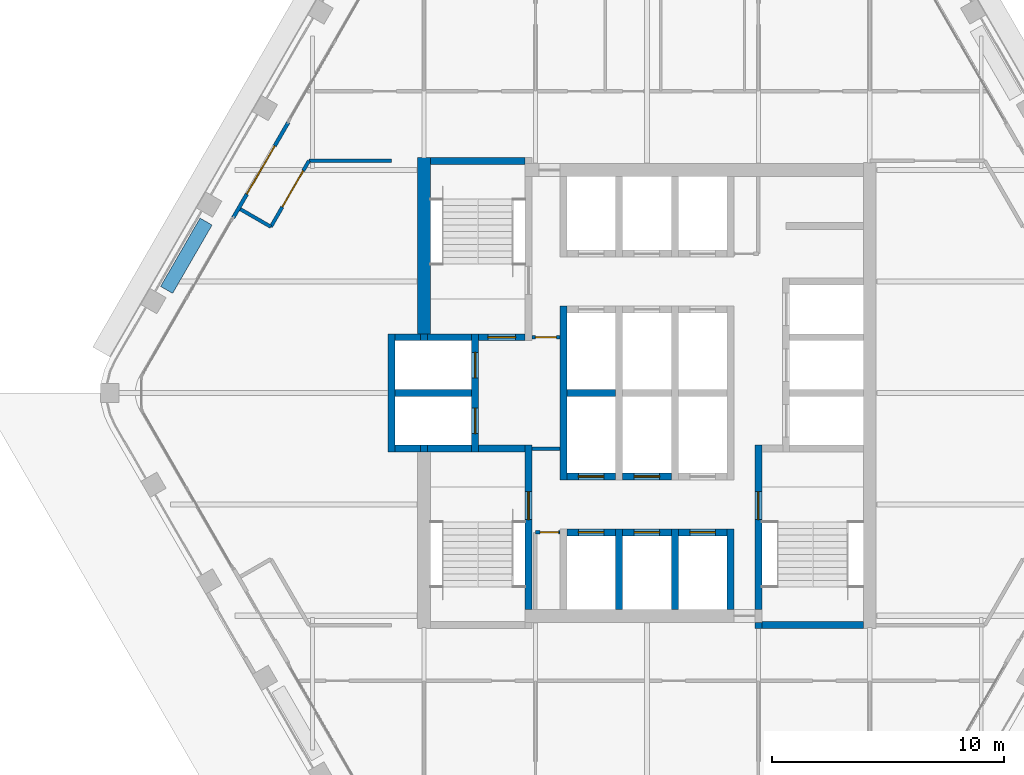
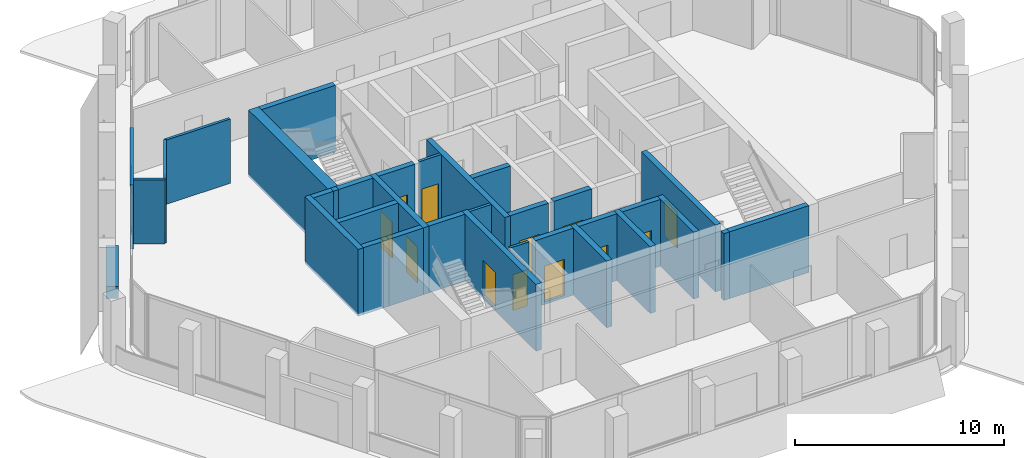
# One storey, part 8 of 14: 35 walls, 14 doors, 14 openings.
"""IFC4 building model written with IfcOpenShell, lengths in metres."""

from ifc_helpers import new_model, si_unit, direction, frame, frame_2d, origin, place, context, subcontext, project, spatial, rectangle, extrude, material, layer, layer_set, type_object, element, fill, save


model = new_model("IFC4")

# Units and contexts
model_context = context("Model", 3, precision=1e-05, world=origin(), true_north=direction((0.0, 1.0)))
body_context = subcontext(model_context, "Body", "Model", "MODEL_VIEW")
ifc_project = project(units=[si_unit("LENGTHUNIT", "METRE"), si_unit("AREAUNIT", "SQUARE_METRE"), si_unit("VOLUMEUNIT", "CUBIC_METRE"), si_unit("PLANEANGLEUNIT", "RADIAN"), si_unit("MASSUNIT", "GRAM", prefix="KILO")], contexts=[model_context])

# Site, building, storey
site_placement = place(None, origin())
site = spatial("IfcSite", under=ifc_project, at=site_placement, CompositionType="ELEMENT")
building_placement = place(site_placement, origin())
building = spatial("IfcBuilding", under=site, at=building_placement, Name="Kolab Exchange Tower", CompositionType="ELEMENT")
storey_placement = place(building_placement, frame((0.0, 0.0, 222.800048828125)))
storey = spatial("IfcBuildingStorey", under=building, at=storey_placement, Name="L48", CompositionType="ELEMENT", Elevation=222.800048828125)

# Wall
ifc_material_1 = material(Name="Concrete C50/60", Category="concrete")
ifc_layer_1 = layer(ifc_material_1, 0.550048828125)
ifc_layer_set_1 = layer_set([ifc_layer_1], Name="Concrete C50/60")
wall_type_1 = type_object("IfcWallType", Name="CORE WALL 550 C50/60", PredefinedType="SHEAR", material=ifc_layer_set_1)
wall_1_placement = place(storey_placement, frame((-9.60009765625, 2.550048828125, -0.150146484375), z_axis=(0.0, 0.0, 1.0), x_axis=(0.0, 1.0, 0.0)))
element("IfcWall", 1, at=wall_1_placement, inside=storey, type_object=wall_type_1, Name="wall/L48/core/037", PredefinedType="SHEAR", context=body_context, shape_type="SweptSolid", body=[
    extrude(rectangle(XDim=7.599853515625, YDim=0.550048828125, at=frame_2d((3.7998046875, 0.0))), origin(), (0.0, 0.0, 1.0), 3.900146484375),
])

# Wall, opening, door
ifc_material_2 = material(Name="Aluminium EN AW-6063 T6", Category="aluminium")
ifc_layer_2 = layer(ifc_material_2, 0.159912109375)
ifc_layer_set_2 = layer_set([ifc_layer_2], Name="Aluminium EN AW-6063 T6")
wall_type_2 = type_object("IfcWallType", Name="DOOR SURROUND WALL 160 ALUMINIUM FRAMED", PredefinedType="PARTITIONING", material=ifc_layer_set_2)
wall_2_placement = place(storey_placement, frame((-17.816650390625, 7.5498046875, 0.0), z_axis=(0.0, 0.0, 1.0), x_axis=(0.499978080042, 0.866038058908, 0.0)))
wall_2 = element("IfcWall", 2, at=wall_2_placement, inside=storey, type_object=wall_type_2, Name="Door surround wall", PredefinedType="PARTITIONING", context=body_context, shape_type="SweptSolid", body=[
    extrude(rectangle(XDim=4.739990234375, YDim=0.159912109375, at=frame_2d((2.3701171875, 0.0))), origin(), (0.0, 0.0, 1.0), 3.75),
])
opening_1_placement = place(wall_2_placement, frame((1.169921875, 0.0, 0.0)))
opening_1 = element("IfcOpeningElement", 3, at=opening_1_placement, cuts=wall_2, Name="Opening GD1-094", PredefinedType="OPENING", context=body_context, shape_type="SweptSolid", body=[
    extrude(rectangle(XDim=2.39990234375, YDim=2.39990234375, at=frame_2d((1.199951171875, 1.199951171875))), frame((0.0, 0.08984375, 0.0), z_axis=(0.0, -1.0, 0.0), x_axis=(1.0, 0.0, 0.0)), (0.0, 0.0, 1.0), 0.179931640625),
])
door_type_1 = type_object("IfcDoorType", Name="LOGGIA SLIDING GLASS DOOR 2400 X 2400", OperationType="DOUBLE_DOOR_SINGLE_SWING", PredefinedType="DOOR", material=ifc_material_2)
door_1_placement = place(opening_1_placement, origin())
door_1 = element("IfcDoor", 4, at=door_1_placement, inside=storey, type_object=door_type_1, Name="Loggia door", OperationType="DOUBLE_DOOR_SLIDING", OverallHeight=2.39990234375, OverallWidth=2.39990234375, PredefinedType="DOOR", context=body_context, shape_type="SweptSolid", body=[
    extrude(rectangle(XDim=2.39990234375, YDim=2.39990234375, at=frame_2d((1.199951171875, 1.199951171875))), frame((0.0, 0.02490234375, 0.0), z_axis=(0.0, -1.0, 0.0), x_axis=(1.0, 0.0, 0.0)), (0.0, 0.0, 1.0), 0.050048828125),
])
fill(opening_1, door_1)

ifc_layer_3 = layer(ifc_material_1, 0.300048828125)
ifc_layer_set_3 = layer_set([ifc_layer_3], Name="Concrete C50/60")
wall_type_3 = type_object("IfcWallType", Name="LIFT SHAFT WALL 300 C50/60", PredefinedType="STANDARD", material=ifc_layer_set_3)
wall_3_placement = place(storey_placement, frame((-3.449951171875, -6.0, -0.150146484375), z_axis=(0.0, 0.0, 1.0), x_axis=(1.0, 0.0, 0.0)))
wall_3 = element("IfcWall", 5, at=wall_3_placement, inside=storey, type_object=wall_type_3, Name="wall/L48/core/003", PredefinedType="STANDARD", context=body_context, shape_type="SweptSolid", body=[
    extrude(rectangle(XDim=2.099853515625, YDim=0.300048828125, at=frame_2d((1.0498046875, 0.0))), origin(), (0.0, 0.0, 1.0), 3.900146484375),
])
opening_2_placement = place(wall_3_placement, frame((0.5, 0.0, 0.14990234375)))
opening_2 = element("IfcOpeningElement", 6, at=opening_2_placement, cuts=wall_3, Name="Opening LD1-110", PredefinedType="OPENING", context=body_context, shape_type="SweptSolid", body=[
    extrude(rectangle(XDim=1.10009765625, YDim=2.10009765625, at=frame_2d((0.550048828125, 1.050048828125))), frame((0.0, 0.16015625, 0.0), z_axis=(0.0, -1.0, 0.0), x_axis=(1.0, 0.0, 0.0)), (0.0, 0.0, 1.0), 0.320068359375),
])
ifc_material_3 = material(Name="Stainless steel 316", Category="steel")
door_type_2 = type_object("IfcDoorType", Name="LANDING DOOR 1100 PASSENGER", OperationType="DOUBLE_DOOR_SLIDING", PredefinedType="DOOR", material=ifc_material_3)
door_2_placement = place(opening_2_placement, origin())
door_2 = element("IfcDoor", 7, at=door_2_placement, inside=storey, type_object=door_type_2, Name="Landing door HR10", OperationType="DOUBLE_DOOR_SLIDING", OverallHeight=2.10009765625, OverallWidth=1.10009765625, PredefinedType="DOOR", context=body_context, shape_type="SweptSolid", body=[
    extrude(rectangle(XDim=1.10009765625, YDim=2.10009765625, at=frame_2d((0.550048828125, 1.050048828125))), frame((0.0, 0.02490234375, 0.0), z_axis=(0.0, -1.0, 0.0), x_axis=(1.0, 0.0, 0.0)), (0.0, 0.0, 1.0), 0.050048828125),
])
fill(opening_2, door_2)

wall_4_placement = place(storey_placement, frame((-1.050048828125, -6.0, -0.150146484375), z_axis=(0.0, 0.0, 1.0), x_axis=(1.0, 0.0, 0.0)))
wall_4 = element("IfcWall", 8, at=wall_4_placement, inside=storey, type_object=wall_type_3, Name="wall/L48/core/004", PredefinedType="STANDARD", context=body_context, shape_type="SweptSolid", body=[
    extrude(rectangle(XDim=2.10009765625, YDim=0.300048828125, at=frame_2d((1.050048828125, 0.0))), origin(), (0.0, 0.0, 1.0), 3.900146484375),
])
opening_3_placement = place(wall_4_placement, frame((0.5, 0.0, 0.14990234375)))
opening_3 = element("IfcOpeningElement", 9, at=opening_3_placement, cuts=wall_4, Name="Opening LD1-111", PredefinedType="OPENING", context=body_context, shape_type="SweptSolid", body=[
    extrude(rectangle(XDim=1.10009765625, YDim=2.10009765625, at=frame_2d((0.550048828125, 1.050048828125))), frame((0.0, 0.16015625, 0.0), z_axis=(0.0, -1.0, 0.0), x_axis=(1.0, 0.0, 0.0)), (0.0, 0.0, 1.0), 0.320068359375),
])
door_3_placement = place(opening_3_placement, origin())
door_3 = element("IfcDoor", 10, at=door_3_placement, inside=storey, type_object=door_type_2, Name="Landing door HR11", OperationType="DOUBLE_DOOR_SLIDING", OverallHeight=2.10009765625, OverallWidth=1.10009765625, PredefinedType="DOOR", context=body_context, shape_type="SweptSolid", body=[
    extrude(rectangle(XDim=1.10009765625, YDim=2.10009765625, at=frame_2d((0.550048828125, 1.050048828125))), frame((0.0, 0.02490234375, 0.0), z_axis=(0.0, -1.0, 0.0), x_axis=(1.0, 0.0, 0.0)), (0.0, 0.0, 1.0), 0.050048828125),
])
fill(opening_3, door_3)

wall_5_placement = place(storey_placement, frame((1.35009765625, -6.0, -0.150146484375), z_axis=(0.0, 0.0, 1.0), x_axis=(1.0, 0.0, 0.0)))
wall_5 = element("IfcWall", 11, at=wall_5_placement, inside=storey, type_object=wall_type_3, Name="wall/L48/core/005", PredefinedType="STANDARD", context=body_context, shape_type="SweptSolid", body=[
    extrude(rectangle(XDim=2.099853515625, YDim=0.300048828125, at=frame_2d((1.0498046875, 0.0))), origin(), (0.0, 0.0, 1.0), 3.900146484375),
])
opening_4_placement = place(wall_5_placement, frame((0.5, 0.0, 0.14990234375)))
opening_4 = element("IfcOpeningElement", 12, at=opening_4_placement, cuts=wall_5, Name="Opening LD1-112", PredefinedType="OPENING", context=body_context, shape_type="SweptSolid", body=[
    extrude(rectangle(XDim=1.10009765625, YDim=2.10009765625, at=frame_2d((0.550048828125, 1.050048828125))), frame((0.0, 0.16015625, 0.0), z_axis=(0.0, -1.0, 0.0), x_axis=(1.0, 0.0, 0.0)), (0.0, 0.0, 1.0), 0.320068359375),
])
door_4_placement = place(opening_4_placement, origin())
door_4 = element("IfcDoor", 13, at=door_4_placement, inside=storey, type_object=door_type_2, Name="Landing door HR12", OperationType="DOUBLE_DOOR_SLIDING", OverallHeight=2.10009765625, OverallWidth=1.10009765625, PredefinedType="DOOR", context=body_context, shape_type="SweptSolid", body=[
    extrude(rectangle(XDim=1.10009765625, YDim=2.10009765625, at=frame_2d((0.550048828125, 1.050048828125))), frame((0.0, 0.02490234375, 0.0), z_axis=(0.0, -1.0, 0.0), x_axis=(1.0, 0.0, 0.0)), (0.0, 0.0, 1.0), 0.050048828125),
])
fill(opening_4, door_4)

wall_6_placement = place(storey_placement, frame((-3.449951171875, -3.60009765625, -0.150146484375), z_axis=(0.0, 0.0, 1.0), x_axis=(1.0, 0.0, 0.0)))
wall_6 = element("IfcWall", 14, at=wall_6_placement, inside=storey, type_object=wall_type_3, Name="wall/L48/core/006", PredefinedType="STANDARD", context=body_context, shape_type="SweptSolid", body=[
    extrude(rectangle(XDim=2.099853515625, YDim=0.300048828125, at=frame_2d((1.0498046875, 0.0))), origin(), (0.0, 0.0, 1.0), 3.900146484375),
])
opening_5_placement = place(wall_6_placement, frame((0.5, 0.0, 0.14990234375)))
opening_5 = element("IfcOpeningElement", 15, at=opening_5_placement, cuts=wall_6, Name="Opening LD1-118", PredefinedType="OPENING", context=body_context, shape_type="SweptSolid", body=[
    extrude(rectangle(XDim=1.10009765625, YDim=2.10009765625, at=frame_2d((0.550048828125, 1.050048828125))), frame((0.0, 0.16015625, 0.0), z_axis=(0.0, -1.0, 0.0), x_axis=(1.0, 0.0, 0.0)), (0.0, 0.0, 1.0), 0.320068359375),
])
door_5_placement = place(opening_5_placement, origin())
door_5 = element("IfcDoor", 16, at=door_5_placement, inside=storey, type_object=door_type_2, Name="Landing door HR7", OperationType="DOUBLE_DOOR_SLIDING", OverallHeight=2.10009765625, OverallWidth=1.10009765625, PredefinedType="DOOR", context=body_context, shape_type="SweptSolid", body=[
    extrude(rectangle(XDim=1.10009765625, YDim=2.10009765625, at=frame_2d((0.550048828125, 1.050048828125))), frame((0.0, 0.02490234375, 0.0), z_axis=(0.0, -1.0, 0.0), x_axis=(1.0, 0.0, 0.0)), (0.0, 0.0, 1.0), 0.050048828125),
])
fill(opening_5, door_5)

wall_7_placement = place(storey_placement, frame((-1.050048828125, -3.60009765625, -0.150146484375), z_axis=(0.0, 0.0, 1.0), x_axis=(1.0, 0.0, 0.0)))
wall_7 = element("IfcWall", 17, at=wall_7_placement, inside=storey, type_object=wall_type_3, Name="wall/L48/core/007", PredefinedType="STANDARD", context=body_context, shape_type="SweptSolid", body=[
    extrude(rectangle(XDim=2.10009765625, YDim=0.300048828125, at=frame_2d((1.050048828125, 0.0))), origin(), (0.0, 0.0, 1.0), 3.900146484375),
])
opening_6_placement = place(wall_7_placement, frame((0.5, 0.0, 0.14990234375)))
opening_6 = element("IfcOpeningElement", 18, at=opening_6_placement, cuts=wall_7, Name="Opening LD1-119", PredefinedType="OPENING", context=body_context, shape_type="SweptSolid", body=[
    extrude(rectangle(XDim=1.10009765625, YDim=2.10009765625, at=frame_2d((0.550048828125, 1.050048828125))), frame((0.0, 0.16015625, 0.0), z_axis=(0.0, -1.0, 0.0), x_axis=(1.0, 0.0, 0.0)), (0.0, 0.0, 1.0), 0.320068359375),
])
door_6_placement = place(opening_6_placement, origin())
door_6 = element("IfcDoor", 19, at=door_6_placement, inside=storey, type_object=door_type_2, Name="Landing door HR8", OperationType="DOUBLE_DOOR_SLIDING", OverallHeight=2.10009765625, OverallWidth=1.10009765625, PredefinedType="DOOR", context=body_context, shape_type="SweptSolid", body=[
    extrude(rectangle(XDim=1.10009765625, YDim=2.10009765625, at=frame_2d((0.550048828125, 1.050048828125))), frame((0.0, 0.02490234375, 0.0), z_axis=(0.0, -1.0, 0.0), x_axis=(1.0, 0.0, 0.0)), (0.0, 0.0, 1.0), 0.050048828125),
])
fill(opening_6, door_6)

# Walls
wall_8_placement = place(storey_placement, frame((-10.85009765625, -2.39990234375, -0.150146484375), z_axis=(0.0, 0.0, 1.0), x_axis=(1.0, 0.0, 0.0)))
element("IfcWall", 20, at=wall_8_placement, inside=storey, type_object=wall_type_3, Name="wall/L48/core/009", PredefinedType="STANDARD", context=body_context, shape_type="SweptSolid", body=[
    extrude(rectangle(XDim=1.10009765625, YDim=0.300048828125, at=frame_2d((0.550048828125, 0.0))), origin(), (0.0, 0.0, 1.0), 3.900146484375),
])
wall_9_placement = place(storey_placement, frame((-10.85009765625, 0.0, -0.150146484375), z_axis=(0.0, 0.0, 1.0), x_axis=(1.0, 0.0, 0.0)))
element("IfcWall", 21, at=wall_9_placement, inside=storey, type_object=wall_type_3, Name="wall/L48/core/014", PredefinedType="STANDARD", context=body_context, shape_type="SweptSolid", body=[
    extrude(rectangle(XDim=3.300048828125, YDim=0.300048828125, at=frame_2d((1.64990234375, 0.0))), origin(), (0.0, 0.0, 1.0), 3.900146484375),
])
wall_10_placement = place(storey_placement, frame((-3.449951171875, 0.0, -0.150146484375), z_axis=(0.0, 0.0, 1.0), x_axis=(1.0, 0.0, 0.0)))
element("IfcWall", 22, at=wall_10_placement, inside=storey, type_object=wall_type_3, Name="wall/L48/core/015", PredefinedType="STANDARD", context=body_context, shape_type="SweptSolid", body=[
    extrude(rectangle(XDim=2.099853515625, YDim=0.300048828125, at=frame_2d((1.0498046875, 0.0))), origin(), (0.0, 0.0, 1.0), 3.900146484375),
])
wall_11_placement = place(storey_placement, frame((-10.85009765625, 2.39990234375, -0.150146484375), z_axis=(0.0, 0.0, 1.0), x_axis=(1.0, 0.0, 0.0)))
element("IfcWall", 23, at=wall_11_placement, inside=storey, type_object=wall_type_3, Name="wall/L48/core/019", PredefinedType="STANDARD", context=body_context, shape_type="SweptSolid", body=[
    extrude(rectangle(XDim=1.10009765625, YDim=0.300048828125, at=frame_2d((0.550048828125, 0.0))), origin(), (0.0, 0.0, 1.0), 3.900146484375),
])
wall_12_placement = place(storey_placement, frame((-11.0, -2.550048828125, -0.150146484375), z_axis=(0.0, 0.0, 1.0), x_axis=(0.0, 1.0, 0.0)))
element("IfcWall", 24, at=wall_12_placement, inside=storey, type_object=wall_type_3, Name="wall/L48/core/033", PredefinedType="STANDARD", context=body_context, shape_type="SweptSolid", body=[
    extrude(rectangle(XDim=5.10009765625, YDim=0.300048828125, at=frame_2d((2.550048828125, 0.0))), origin(), (0.0, 0.0, 1.0), 3.900146484375),
])

# Wall, openings, doors
wall_13_placement = place(storey_placement, frame((-7.39990234375, -2.550048828125, -0.150146484375), z_axis=(0.0, 0.0, 1.0), x_axis=(0.0, 1.0, 0.0)))
wall_13 = element("IfcWall", 25, at=wall_13_placement, inside=storey, type_object=wall_type_3, Name="wall/L48/core/038", PredefinedType="STANDARD", context=body_context, shape_type="SweptSolid", body=[
    extrude(rectangle(XDim=5.10009765625, YDim=0.300048828125, at=frame_2d((2.550048828125, 0.0))), origin(), (0.0, 0.0, 1.0), 3.900146484375),
])
opening_7_placement = place(wall_13_placement, frame((0.800048828125, 0.0, 0.14990234375)))
opening_7 = element("IfcOpeningElement", 26, at=opening_7_placement, cuts=wall_13, Name="Opening LD2-025", PredefinedType="OPENING", context=body_context, shape_type="SweptSolid", body=[
    extrude(rectangle(XDim=1.10009765625, YDim=2.10009765625, at=frame_2d((0.550048828125, 1.050048828125))), frame((0.0, 0.16015625, 0.0), z_axis=(0.0, -1.0, 0.0), x_axis=(1.0, 0.0, 0.0)), (0.0, 0.0, 1.0), 0.320068359375),
])
opening_8_placement = place(wall_13_placement, frame((3.199951171875, 0.0, 0.14990234375)))
opening_8 = element("IfcOpeningElement", 27, at=opening_8_placement, cuts=wall_13, Name="Opening LD2-026", PredefinedType="OPENING", context=body_context, shape_type="SweptSolid", body=[
    extrude(rectangle(XDim=1.10009765625, YDim=2.10009765625, at=frame_2d((0.550048828125, 1.050048828125))), frame((0.0, 0.16015625, 0.0), z_axis=(0.0, -1.0, 0.0), x_axis=(1.0, 0.0, 0.0)), (0.0, 0.0, 1.0), 0.320068359375),
])
door_type_3 = type_object("IfcDoorType", Name="LANDING DOOR 1100 FIREFIGHTING", OperationType="DOUBLE_DOOR_SLIDING", PredefinedType="DOOR", material=ifc_material_3)
door_7_placement = place(opening_7_placement, origin())
door_7 = element("IfcDoor", 28, at=door_7_placement, inside=storey, type_object=door_type_3, Name="Landing door FF1", OperationType="DOUBLE_DOOR_SLIDING", OverallHeight=2.10009765625, OverallWidth=1.10009765625, PredefinedType="DOOR", context=body_context, shape_type="SweptSolid", body=[
    extrude(rectangle(XDim=1.10009765625, YDim=2.10009765625, at=frame_2d((0.550048828125, 1.050048828125))), frame((0.0, 0.02490234375, 0.0), z_axis=(0.0, -1.0, 0.0), x_axis=(1.0, 0.0, 0.0)), (0.0, 0.0, 1.0), 0.050048828125),
])
fill(opening_7, door_7)
door_8_placement = place(opening_8_placement, origin())
door_8 = element("IfcDoor", 29, at=door_8_placement, inside=storey, type_object=door_type_3, Name="Landing door FF2", OperationType="DOUBLE_DOOR_SLIDING", OverallHeight=2.10009765625, OverallWidth=1.10009765625, PredefinedType="DOOR", context=body_context, shape_type="SweptSolid", body=[
    extrude(rectangle(XDim=1.10009765625, YDim=2.10009765625, at=frame_2d((0.550048828125, 1.050048828125))), frame((0.0, 0.02490234375, 0.0), z_axis=(0.0, -1.0, 0.0), x_axis=(1.0, 0.0, 0.0)), (0.0, 0.0, 1.0), 0.050048828125),
])
fill(opening_8, door_8)

# Walls
wall_14_placement = place(storey_placement, frame((-3.60009765625, -3.75, -0.150146484375), z_axis=(0.0, 0.0, 1.0), x_axis=(0.0, 1.0, 0.0)))
element("IfcWall", 30, at=wall_14_placement, inside=storey, type_object=wall_type_3, Name="wall/L48/core/044", PredefinedType="STANDARD", context=body_context, shape_type="SweptSolid", body=[
    extrude(rectangle(XDim=7.5, YDim=0.300048828125, at=frame_2d((3.75, 0.0))), origin(), (0.0, 0.0, 1.0), 3.900146484375),
])
for number, where, z_axis, x_axis, name in (
    (31, (-1.199951171875, -9.324951171875, -0.150146484375), (0.0, 0.0, 1.0), (0.0, 1.0, 0.0), "wall/L48/core/046"),
    (32, (1.199951171875, -9.324951171875, -0.150146484375), (0.0, 0.0, 1.0), (0.0, 1.0, 0.0), "wall/L48/core/049"),
    (33, (3.60009765625, -9.324951171875, -0.150146484375), (0.0, 0.0, 1.0), (0.0, 1.0, 0.0), "wall/L48/core/052"),
):
    element("IfcWall", number, at=place(storey_placement, frame(where, z_axis=z_axis, x_axis=x_axis)), inside=storey, type_object=wall_type_3, Name=name, PredefinedType="STANDARD", context=body_context, shape_type="SweptSolid", body=[
        extrude(rectangle(XDim=3.474853515625, YDim=0.300048828125, at=frame_2d((1.7373046875, 0.0))), origin(), (0.0, 0.0, 1.0), 3.900146484375),
    ])

# Wall, opening, door
ifc_material_4 = material(Name="Gypsum board", Category="gypsum")
ifc_layer_4 = layer(ifc_material_4, 0.14990234375)
ifc_layer_set_4 = layer_set([ifc_layer_4], Name="Gypsum board")
wall_type_4 = type_object("IfcWallType", Name="PARTITION 150 FIRE-RATED", PredefinedType="PARTITIONING", material=ifc_layer_set_4)
wall_15_placement = place(storey_placement, frame((-16.196044921875, 7.15673828125, 0.0), z_axis=(0.0, 0.0, 1.0), x_axis=(0.499954196102, 0.866051847062, 0.0)))
wall_15 = element("IfcWall", 34, at=wall_15_placement, inside=storey, type_object=wall_type_4, Name="Partition 016", PredefinedType="PARTITIONING", context=body_context, shape_type="SweptSolid", body=[
    extrude(rectangle(XDim=3.282958984375, YDim=0.14990234375, at=frame_2d((1.6416015625, 0.0))), origin(), (0.0, 0.0, 1.0), 3.75),
])
opening_9_placement = place(wall_15_placement, frame((0.9873046875, 0.0, 0.0)))
opening_9 = element("IfcOpeningElement", 35, at=opening_9_placement, cuts=wall_15, Name="Opening D2-064", PredefinedType="OPENING", context=body_context, shape_type="SweptSolid", body=[
    extrude(rectangle(XDim=1.800048828125, YDim=2.10009765625, at=frame_2d((0.89990234375, 1.050048828125))), frame((0.0, 0.0849609375, 0.0), z_axis=(0.0, -1.0, 0.0), x_axis=(1.0, 0.0, 0.0)), (0.0, 0.0, 1.0), 0.169921875),
])
ifc_material_5 = material(Name="Steel S235", Category="steel")
door_type_4 = type_object("IfcDoorType", Name="DOUBLE DOOR 1800 FD60", OperationType="DOUBLE_DOOR_SINGLE_SWING", PredefinedType="DOOR", material=ifc_material_5)
door_9_placement = place(opening_9_placement, frame((1.800048828125, 0.0, 0.0), z_axis=(0.0, 0.0, 1.0), x_axis=(-1.0, 0.0, 0.0)))
door_9 = element("IfcDoor", 36, at=door_9_placement, inside=storey, type_object=door_type_4, Name="Door L48-040", OperationType="SINGLE_SWING_RIGHT", OverallHeight=2.10009765625, OverallWidth=1.800048828125, PredefinedType="DOOR", context=body_context, shape_type="SweptSolid", body=[
    extrude(rectangle(XDim=1.800048828125, YDim=2.10009765625, at=frame_2d((0.89990234375, 1.050048828125))), frame((0.0, 0.02490234375, 0.0), z_axis=(0.0, -1.0, 0.0), x_axis=(1.0, 0.0, 0.0)), (0.0, 0.0, 1.0), 0.050048828125),
])
fill(opening_9, door_9)

# Wall
wall_16_placement = place(storey_placement, frame((-17.512451171875, 7.9169921875, 0.0), z_axis=(0.0, 0.0, 1.0), x_axis=(0.865960906633, -0.500111695708, 0.0)))
element("IfcWall", 37, at=wall_16_placement, inside=storey, type_object=wall_type_4, Name="Partition 017", PredefinedType="PARTITIONING", context=body_context, shape_type="SweptSolid", body=[
    extrude(rectangle(XDim=1.520263671875, YDim=0.14990234375, at=frame_2d((0.76025390625, 0.0))), origin(), (0.0, 0.0, 1.0), 3.75),
])

# Wall, opening, door
wall_17_placement = place(storey_placement, frame((-4.800048828125, -6.0, 0.0), z_axis=(0.0, 0.0, 1.0), x_axis=(1.0, 0.0, 0.0)))
wall_17 = element("IfcWall", 38, at=wall_17_placement, inside=storey, type_object=wall_type_4, Name="Partition 024", PredefinedType="PARTITIONING", context=body_context, shape_type="SweptSolid", body=[
    extrude(rectangle(XDim=1.050048828125, YDim=0.14990234375, at=frame_2d((0.52490234375, 0.0))), origin(), (0.0, 0.0, 1.0), 3.75),
])
opening_10_placement = place(wall_17_placement, frame((0.199951171875, 0.0, 0.0)))
opening_10 = element("IfcOpeningElement", 39, at=opening_10_placement, cuts=wall_17, Name="Opening D7-034", PredefinedType="OPENING", context=body_context, shape_type="SweptSolid", body=[
    extrude(rectangle(XDim=0.800048828125, YDim=2.10009765625, at=frame_2d((0.39990234375, 1.050048828125))), frame((0.0, 0.0849609375, 0.0), z_axis=(0.0, -1.0, 0.0), x_axis=(1.0, 0.0, 0.0)), (0.0, 0.0, 1.0), 0.169921875),
])
door_type_5 = type_object("IfcDoorType", Name="FLUSH DOOR 800 FD60", OperationType="SINGLE_SWING_LEFT", PredefinedType="DOOR", material=ifc_material_5)
door_10_placement = place(opening_10_placement, frame((0.800048828125, 0.0, 0.0), z_axis=(0.0, 0.0, 1.0), x_axis=(-1.0, 0.0, 0.0)))
door_10 = element("IfcDoor", 40, at=door_10_placement, inside=storey, type_object=door_type_5, Name="Door L48-024", OperationType="SINGLE_SWING_RIGHT", OverallHeight=2.10009765625, OverallWidth=0.800048828125, PredefinedType="DOOR", context=body_context, shape_type="SweptSolid", body=[
    extrude(rectangle(XDim=0.800048828125, YDim=2.10009765625, at=frame_2d((0.39990234375, 1.050048828125))), frame((0.0, 0.02490234375, 0.0), z_axis=(0.0, -1.0, 0.0), x_axis=(1.0, 0.0, 0.0)), (0.0, 0.0, 1.0), 0.050048828125),
])
fill(opening_10, door_10)

# Wall
wall_18_placement = place(storey_placement, frame((-14.5546875, 10.0, 0.0), z_axis=(0.0, 0.0, 1.0), x_axis=(1.0, 0.0, 0.0)))
element("IfcWall", 41, at=wall_18_placement, inside=storey, type_object=wall_type_4, Name="Partition 026", PredefinedType="PARTITIONING", context=body_context, shape_type="SweptSolid", body=[
    extrude(rectangle(XDim=3.5546875, YDim=0.14990234375, at=frame_2d((1.77734375, 0.0))), origin(), (0.0, 0.0, 1.0), 3.75),
])

# Wall, opening, door
wall_19_placement = place(storey_placement, frame((-4.949951171875, 2.39990234375, 0.0), z_axis=(0.0, 0.0, 1.0), x_axis=(1.0, 0.0, 0.0)))
wall_19 = element("IfcWall", 42, at=wall_19_placement, inside=storey, type_object=wall_type_4, Name="Fire partition", PredefinedType="PARTITIONING", context=body_context, shape_type="SweptSolid", body=[
    extrude(rectangle(XDim=1.199951171875, YDim=0.14990234375, at=frame_2d((0.60009765625, 0.0))), origin(), (0.0, 0.0, 1.0), 3.75),
])
opening_11_placement = place(wall_19_placement, frame((0.14990234375, 0.0, 0.0)))
opening_11 = element("IfcOpeningElement", 43, at=opening_11_placement, cuts=wall_19, Name="Opening D6-288", PredefinedType="OPENING", context=body_context, shape_type="SweptSolid", body=[
    extrude(rectangle(XDim=0.89990234375, YDim=2.10009765625, at=frame_2d((0.449951171875, 1.050048828125))), frame((0.0, 0.0849609375, 0.0), z_axis=(0.0, -1.0, 0.0), x_axis=(1.0, 0.0, 0.0)), (0.0, 0.0, 1.0), 0.169921875),
])
door_type_6 = type_object("IfcDoorType", Name="CORE DOOR 900 EI 120", OperationType="SINGLE_SWING_LEFT", PredefinedType="DOOR", material=ifc_material_5)
door_11_placement = place(opening_11_placement, frame((0.89990234375, 0.0, 0.0), z_axis=(0.0, 0.0, 1.0), x_axis=(-1.0, 0.0, 0.0)))
door_11 = element("IfcDoor", 44, at=door_11_placement, inside=storey, type_object=door_type_6, Name="Firefighting lobby door", OperationType="SINGLE_SWING_RIGHT", OverallHeight=2.10009765625, OverallWidth=0.89990234375, PredefinedType="DOOR", context=body_context, shape_type="SweptSolid", body=[
    extrude(rectangle(XDim=0.89990234375, YDim=2.10009765625, at=frame_2d((0.449951171875, 1.050048828125))), frame((0.0, 0.02490234375, 0.0), z_axis=(0.0, -1.0, 0.0), x_axis=(1.0, 0.0, 0.0)), (0.0, 0.0, 1.0), 0.050048828125),
])
fill(opening_11, door_11)

# Walls
wall_20_placement = place(storey_placement, frame((-4.949951171875, -2.39990234375, 0.0), z_axis=(0.0, 0.0, 1.0), x_axis=(1.0, 0.0, 0.0)))
element("IfcWall", 45, at=wall_20_placement, inside=storey, type_object=wall_type_4, Name="Fire partition", PredefinedType="PARTITIONING", context=body_context, shape_type="SweptSolid", body=[
    extrude(rectangle(XDim=1.199951171875, YDim=0.14990234375, at=frame_2d((0.60009765625, 0.0))), origin(), (0.0, 0.0, 1.0), 3.75),
])
ifc_material_6 = material(Name="Granite facing", Category="masonry")
ifc_layer_5 = layer(ifc_material_6, 0.0400390625)
ifc_material_7 = material(Name="Concrete C40/50 precast", Category="concrete")
ifc_layer_6 = layer(ifc_material_7, 0.56005859375)
ifc_layer_set_5 = layer_set([ifc_layer_5, ifc_layer_6], Name="Concrete C40/50 precast")
wall_type_5 = type_object("IfcWallType", Name="PLANTER BOX 600 X 700 SOIL DEPTH 550", PredefinedType="USERDEFINED", material=ifc_layer_set_5)
wall_21_placement = place(storey_placement, frame((-20.68701171875, 4.438232421875, 0.0), z_axis=(0.0, 0.0, 1.0), x_axis=(0.500008388397, 0.866020560687, 0.0)))
element("IfcWall", 46, at=wall_21_placement, inside=storey, type_object=wall_type_5, Name="Planter", ObjectType="PLANTER", PredefinedType="USERDEFINED", context=body_context, shape_type="SweptSolid", body=[
    extrude(rectangle(XDim=3.39990234375, YDim=0.60009765625, at=frame_2d((1.699951171875, 0.0))), origin(), (0.0, 0.0, 1.0), 0.699951171875),
])
ifc_layer_7 = layer(ifc_material_1, 0.300048828125)
ifc_layer_set_6 = layer_set([ifc_layer_7], Name="Concrete C50/60")
wall_type_6 = type_object("IfcWallType", Name="STAIR ENCLOSURE WALL 300 C50/60", PredefinedType="STANDARD", material=ifc_layer_set_6)
wall_22_placement = place(storey_placement, frame((4.949951171875, -10.0, -0.150146484375), z_axis=(0.0, 0.0, 1.0), x_axis=(1.0, 0.0, 0.0)))
element("IfcWall", 47, at=wall_22_placement, inside=storey, type_object=wall_type_6, Name="wall/L48/core/001", PredefinedType="STANDARD", context=body_context, shape_type="SweptSolid", body=[
    extrude(rectangle(XDim=4.375, YDim=0.300048828125, at=frame_2d((2.1875, 0.0))), origin(), (0.0, 0.0, 1.0), 3.900146484375),
])
wall_23_placement = place(storey_placement, frame((-9.449951171875, -2.39990234375, -0.150146484375), z_axis=(0.0, 0.0, 1.0), x_axis=(1.0, 0.0, 0.0)))
element("IfcWall", 48, at=wall_23_placement, inside=storey, type_object=wall_type_6, Name="wall/L48/core/010", PredefinedType="STANDARD", context=body_context, shape_type="SweptSolid", body=[
    extrude(rectangle(XDim=1.89990234375, YDim=0.300048828125, at=frame_2d((0.949951171875, 0.0))), origin(), (0.0, 0.0, 1.0), 3.900146484375),
])
wall_24_placement = place(storey_placement, frame((-7.25, -2.39990234375, -0.150146484375), z_axis=(0.0, 0.0, 1.0), x_axis=(1.0, 0.0, 0.0)))
element("IfcWall", 49, at=wall_24_placement, inside=storey, type_object=wall_type_6, Name="wall/L48/core/011", PredefinedType="STANDARD", context=body_context, shape_type="SweptSolid", body=[
    extrude(rectangle(XDim=2.0, YDim=0.300048828125, at=frame_2d((1.0, 0.0))), origin(), (0.0, 0.0, 1.0), 3.900146484375),
])
wall_25_placement = place(storey_placement, frame((-9.449951171875, 2.39990234375, -0.150146484375), z_axis=(0.0, 0.0, 1.0), x_axis=(1.0, 0.0, 0.0)))
element("IfcWall", 50, at=wall_25_placement, inside=storey, type_object=wall_type_6, Name="wall/L48/core/020", PredefinedType="STANDARD", context=body_context, shape_type="SweptSolid", body=[
    extrude(rectangle(XDim=1.89990234375, YDim=0.300048828125, at=frame_2d((0.949951171875, 0.0))), origin(), (0.0, 0.0, 1.0), 3.900146484375),
])

# Wall, opening, door
wall_26_placement = place(storey_placement, frame((-7.25, 2.39990234375, -0.150146484375), z_axis=(0.0, 0.0, 1.0), x_axis=(1.0, 0.0, 0.0)))
wall_26 = element("IfcWall", 51, at=wall_26_placement, inside=storey, type_object=wall_type_6, Name="wall/L48/core/021", PredefinedType="STANDARD", context=body_context, shape_type="SweptSolid", body=[
    extrude(rectangle(XDim=2.0, YDim=0.300048828125, at=frame_2d((1.0, 0.0))), origin(), (0.0, 0.0, 1.0), 3.900146484375),
])
opening_12_placement = place(wall_26_placement, frame((0.39990234375, 0.0, 0.14990234375)))
opening_12 = element("IfcOpeningElement", 52, at=opening_12_placement, cuts=wall_26, Name="Opening D4-065", PredefinedType="OPENING", context=body_context, shape_type="SweptSolid", body=[
    extrude(rectangle(XDim=1.199951171875, YDim=2.10009765625, at=frame_2d((0.60009765625, 1.050048828125))), frame((0.0, 0.16015625, 0.0), z_axis=(0.0, -1.0, 0.0), x_axis=(1.0, 0.0, 0.0)), (0.0, 0.0, 1.0), 0.320068359375),
])
door_type_7 = type_object("IfcDoorType", Name="STAIR DOOR 1200 EI 120", OperationType="SINGLE_SWING_LEFT", PredefinedType="DOOR", material=ifc_material_5)
door_12_placement = place(opening_12_placement, origin())
door_12 = element("IfcDoor", 53, at=door_12_placement, inside=storey, type_object=door_type_7, Name="Stair 1 door", OperationType="SINGLE_SWING_RIGHT", OverallHeight=2.10009765625, OverallWidth=1.199951171875, PredefinedType="DOOR", context=body_context, shape_type="SweptSolid", body=[
    extrude(rectangle(XDim=1.199951171875, YDim=2.10009765625, at=frame_2d((0.60009765625, 1.050048828125))), frame((0.0, 0.02490234375, 0.0), z_axis=(0.0, -1.0, 0.0), x_axis=(1.0, 0.0, 0.0)), (0.0, 0.0, 1.0), 0.050048828125),
])
fill(opening_12, door_12)

# Walls
wall_27_placement = place(storey_placement, frame((-9.324951171875, 10.0, -0.150146484375), z_axis=(0.0, 0.0, 1.0), x_axis=(1.0, 0.0, 0.0)))
element("IfcWall", 54, at=wall_27_placement, inside=storey, type_object=wall_type_6, Name="wall/L48/core/032", PredefinedType="STANDARD", context=body_context, shape_type="SweptSolid", body=[
    extrude(rectangle(XDim=4.074951171875, YDim=0.300048828125, at=frame_2d((2.03759765625, 0.0))), origin(), (0.0, 0.0, 1.0), 3.900146484375),
])
for number, where, z_axis, x_axis, name in (
    (55, (-9.60009765625, -2.550048828125, -0.150146484375), (0.0, 0.0, 1.0), (0.0, 1.0, 0.0), "wall/L48/core/035"),
    (56, (-9.60009765625, 2.25, -0.150146484375), (0.0, 0.0, 1.0), (0.0, 1.0, 0.0), "wall/L48/core/036"),
):
    element("IfcWall", number, at=place(storey_placement, frame(where, z_axis=z_axis, x_axis=x_axis)), inside=storey, type_object=wall_type_6, Name=name, PredefinedType="STANDARD", context=body_context, shape_type="SweptSolid", body=[
        extrude(rectangle(XDim=0.300048828125, YDim=0.300048828125, at=frame_2d((0.14990234375, 0.0))), origin(), (0.0, 0.0, 1.0), 3.900146484375),
    ])

# Wall, opening, door
wall_28_placement = place(storey_placement, frame((-5.10009765625, -9.324951171875, -0.150146484375), z_axis=(0.0, 0.0, 1.0), x_axis=(0.0, 1.0, 0.0)))
wall_28 = element("IfcWall", 57, at=wall_28_placement, inside=storey, type_object=wall_type_6, Name="wall/L48/core/040", PredefinedType="STANDARD", context=body_context, shape_type="SweptSolid", body=[
    extrude(rectangle(XDim=7.074951171875, YDim=0.300048828125, at=frame_2d((3.53759765625, 0.0))), origin(), (0.0, 0.0, 1.0), 3.900146484375),
])
opening_13_placement = place(wall_28_placement, frame((3.875, 0.0, 0.14990234375)))
opening_13 = element("IfcOpeningElement", 58, at=opening_13_placement, cuts=wall_28, Name="Opening D4-078", PredefinedType="OPENING", context=body_context, shape_type="SweptSolid", body=[
    extrude(rectangle(XDim=1.199951171875, YDim=2.10009765625, at=frame_2d((0.60009765625, 1.050048828125))), frame((0.0, 0.16015625, 0.0), z_axis=(0.0, -1.0, 0.0), x_axis=(1.0, 0.0, 0.0)), (0.0, 0.0, 1.0), 0.320068359375),
])
door_13_placement = place(opening_13_placement, origin())
door_13 = element("IfcDoor", 59, at=door_13_placement, inside=storey, type_object=door_type_7, Name="Stair 3 door", OperationType="SINGLE_SWING_RIGHT", OverallHeight=2.10009765625, OverallWidth=1.199951171875, PredefinedType="DOOR", context=body_context, shape_type="SweptSolid", body=[
    extrude(rectangle(XDim=1.199951171875, YDim=2.10009765625, at=frame_2d((0.60009765625, 1.050048828125))), frame((0.0, 0.02490234375, 0.0), z_axis=(0.0, -1.0, 0.0), x_axis=(1.0, 0.0, 0.0)), (0.0, 0.0, 1.0), 0.050048828125),
])
fill(opening_13, door_13)

# Wall
wall_29_placement = place(storey_placement, frame((4.800048828125, -10.14990234375, -0.150146484375), z_axis=(0.0, 0.0, 1.0), x_axis=(0.0, 1.0, 0.0)))
element("IfcWall", 60, at=wall_29_placement, inside=storey, type_object=wall_type_6, Name="wall/L48/core/055", PredefinedType="STANDARD", context=body_context, shape_type="SweptSolid", body=[
    extrude(rectangle(XDim=0.27490234375, YDim=0.300048828125, at=frame_2d((0.137451171875, 0.0))), origin(), (0.0, 0.0, 1.0), 3.900146484375),
])

# Wall, opening, door
wall_30_placement = place(storey_placement, frame((4.800048828125, -9.324951171875, -0.150146484375), z_axis=(0.0, 0.0, 1.0), x_axis=(0.0, 1.0, 0.0)))
wall_30 = element("IfcWall", 61, at=wall_30_placement, inside=storey, type_object=wall_type_6, Name="wall/L48/core/056", PredefinedType="STANDARD", context=body_context, shape_type="SweptSolid", body=[
    extrude(rectangle(XDim=7.074951171875, YDim=0.300048828125, at=frame_2d((3.53759765625, 0.0))), origin(), (0.0, 0.0, 1.0), 3.900146484375),
])
opening_14_placement = place(wall_30_placement, frame((3.875, 0.0, 0.14990234375)))
opening_14 = element("IfcOpeningElement", 62, at=opening_14_placement, cuts=wall_30, Name="Opening D4-077", PredefinedType="OPENING", context=body_context, shape_type="SweptSolid", body=[
    extrude(rectangle(XDim=1.199951171875, YDim=2.10009765625, at=frame_2d((0.60009765625, 1.050048828125))), frame((0.0, 0.16015625, 0.0), z_axis=(0.0, -1.0, 0.0), x_axis=(1.0, 0.0, 0.0)), (0.0, 0.0, 1.0), 0.320068359375),
])
door_14_placement = place(opening_14_placement, frame((1.199951171875, 0.0, 0.0), z_axis=(0.0, 0.0, 1.0), x_axis=(-1.0, 0.0, 0.0)))
door_14 = element("IfcDoor", 63, at=door_14_placement, inside=storey, type_object=door_type_7, Name="Stair 2 door", OperationType="SINGLE_SWING_RIGHT", OverallHeight=2.10009765625, OverallWidth=1.199951171875, PredefinedType="DOOR", context=body_context, shape_type="SweptSolid", body=[
    extrude(rectangle(XDim=1.199951171875, YDim=2.10009765625, at=frame_2d((0.60009765625, 1.050048828125))), frame((0.0, 0.02490234375, 0.0), z_axis=(0.0, -1.0, 0.0), x_axis=(1.0, 0.0, 0.0)), (0.0, 0.0, 1.0), 0.050048828125),
])
fill(opening_14, door_14)

save(model, "model.ifc")
